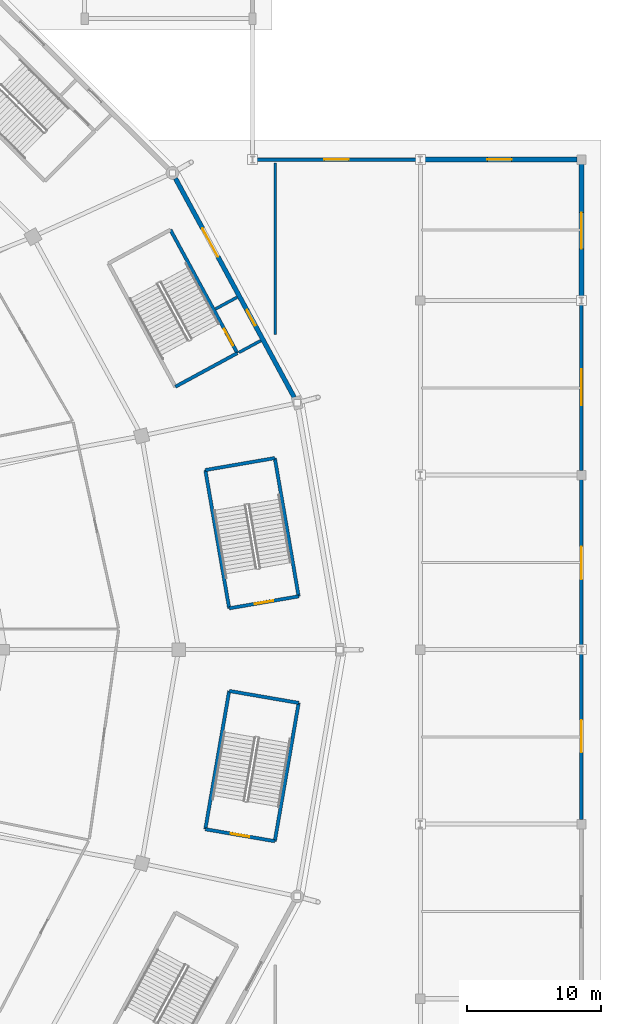
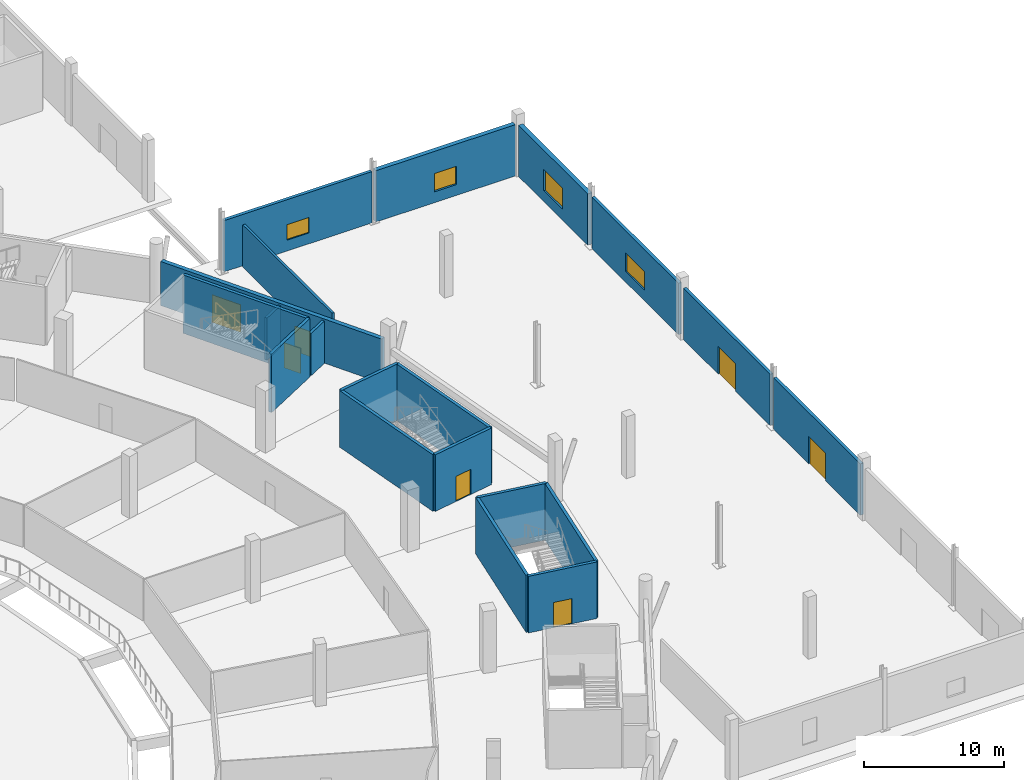
# One storey, part 48 of 82: 20 walls, 7 doors, 4 windows, 11 openings.
"""IFC4 building model written with IfcOpenShell, lengths in metres."""

from ifc_helpers import new_model, si_unit, direction, frame, frame_2d, origin, place, context, subcontext, project, spatial, rectangle, extrude, material, layer, layer_set, type_object, element, fill, save


model = new_model("IFC4")

# Units and contexts
model_context = context("Model", 3, precision=1e-05, world=origin(), true_north=direction((0.0, 1.0)))
body_context = subcontext(model_context, "Body", "Model", "MODEL_VIEW")
ifc_project = project(units=[si_unit("LENGTHUNIT", "METRE"), si_unit("AREAUNIT", "SQUARE_METRE"), si_unit("VOLUMEUNIT", "CUBIC_METRE"), si_unit("PLANEANGLEUNIT", "RADIAN"), si_unit("MASSUNIT", "GRAM", prefix="KILO")], contexts=[model_context])

# Site, building, storey
site_placement = place(None, origin())
site = spatial("IfcSite", under=ifc_project, at=site_placement, CompositionType="ELEMENT")
building_placement = place(site_placement, origin())
building = spatial("IfcBuilding", under=site, at=building_placement, Name="Zlatoyarsky Gate Stadium", CompositionType="ELEMENT")
storey_placement = place(building_placement, origin())
storey = spatial("IfcBuildingStorey", under=building, at=storey_placement, Name="L00", CompositionType="ELEMENT", Elevation=0.0)

# Wall
ifc_material_1 = material(Name="Gypsum-clad mineral wool fire partition", Category="gypsum")
ifc_layer_1 = layer(ifc_material_1, 0.199951171875)
ifc_layer_set_1 = layer_set([ifc_layer_1], Name="Gypsum-clad mineral wool fire partition")
wall_type_1 = type_object("IfcWallType", Name="COMPARTMENT FIRE PARTITION WALL 200", PredefinedType="PARTITIONING", material=ifc_layer_set_1)
wall_1_placement = place(storey_placement, frame((199.199951171875, 103.485107421875, 0.0), z_axis=(0.0, 0.0, 1.0), x_axis=(0.0, 1.0, 0.0)))
element("IfcWall", 1, at=wall_1_placement, inside=storey, type_object=wall_type_1, Name="L00 interior partition PRT-L00-ALC-NE-X", PredefinedType="PARTITIONING", context=body_context, shape_type="SweptSolid", body=[
    extrude(rectangle(XDim=12.75, YDim=0.199951171875, at=frame_2d((6.375, 0.0))), origin(), (0.0, 0.0, 1.0), 3.68994140625),
])

# Wall, opening, door
ifc_material_2 = material(Name="Concrete C40/50", Category="concrete")
ifc_layer_2 = layer(ifc_material_2, 0.25)
ifc_layer_set_2 = layer_set([ifc_layer_2], Name="Concrete C40/50")
wall_type_2 = type_object("IfcWallType", Name="CONCRETE STAIR CORE SHEAR WALL 250", PredefinedType="SHEAR", material=ifc_layer_set_2)
wall_2_placement = place(storey_placement, frame((195.762451171875, 83.07666015625, 0.0), z_axis=(0.0, 0.0, 1.0), x_axis=(0.985457162135, 0.16992404655, 0.0)))
wall_2 = element("IfcWall", 2, at=wall_2_placement, inside=storey, type_object=wall_type_2, Name="ST-01 L00 stair core entrance shear wall", PredefinedType="SHEAR", context=body_context, shape_type="SweptSolid", body=[
    extrude(rectangle(XDim=5.25, YDim=0.25, at=frame_2d((2.625, 0.0))), origin(), (0.0, 0.0, 1.0), 4.93994140625),
])
opening_1_placement = place(wall_2_placement, frame((1.925048828125, 0.0, 0.0)))
opening_1 = element("IfcOpeningElement", 3, at=opening_1_placement, cuts=wall_2, Name="Opening SD-ST-01-L00", PredefinedType="OPENING", context=body_context, shape_type="SweptSolid", body=[
    extrude(rectangle(XDim=1.39990234375, YDim=2.199951171875, at=frame_2d((0.699951171875, 1.10009765625))), frame((0.0, 0.135009765625, 0.0), z_axis=(0.0, -1.0, 0.0), x_axis=(1.0, 0.0, 0.0)), (0.0, 0.0, 1.0), 0.27001953125),
])
ifc_material_3 = material(Name="Powder-coated steel fire door", Category="steel")
door_type_1 = type_object("IfcDoorType", Name="STAIR CORE FIRE EXIT DOOR 1400X2200", OperationType="NOTDEFINED", PredefinedType="DOOR", material=ifc_material_3)
door_1_placement = place(opening_1_placement, frame((1.39990234375, 0.0, 0.0), z_axis=(0.0, 0.0, 1.0), x_axis=(-1.0, 0.0, 0.0)))
door_1 = element("IfcDoor", 4, at=door_1_placement, inside=storey, type_object=door_type_1, Name="ST-01 L00 stair fire door", OperationType="SINGLE_SWING_RIGHT", OverallHeight=2.199951171875, OverallWidth=1.39990234375, PredefinedType="DOOR", context=body_context, shape_type="SweptSolid", body=[
    extrude(rectangle(XDim=1.39990234375, YDim=2.199951171875, at=frame_2d((0.699951171875, 1.10009765625))), frame((0.0, 0.02490234375, 0.0), z_axis=(0.0, -1.0, 0.0), x_axis=(1.0, 0.0, 0.0)), (0.0, 0.0, 1.0), 0.050048828125),
])
fill(opening_1, door_1)

# Walls
wall_3_placement = place(storey_placement, frame((200.93603515625, 83.96875, 0.0), z_axis=(0.0, 0.0, 1.0), x_axis=(-0.169938992676, 0.985454584833, 0.0)))
element("IfcWall", 5, at=wall_3_placement, inside=storey, type_object=wall_type_2, Name="ST-01 L00 stair core left shear wall", PredefinedType="SHEAR", context=body_context, shape_type="SweptSolid", body=[
    extrude(rectangle(XDim=10.4501953125, YDim=0.25, at=frame_2d((5.22509765625, 0.0))), origin(), (0.0, 0.0, 1.0), 4.93994140625),
])
wall_4_placement = place(storey_placement, frame((199.16015625, 94.266845703125, 0.0), z_axis=(0.0, 0.0, 1.0), x_axis=(-0.985457162135, -0.16992404655, 0.0)))
element("IfcWall", 6, at=wall_4_placement, inside=storey, type_object=wall_type_2, Name="ST-01 L00 stair core far shear wall", PredefinedType="SHEAR", context=body_context, shape_type="SweptSolid", body=[
    extrude(rectangle(XDim=5.25, YDim=0.25, at=frame_2d((2.625, 0.0))), origin(), (0.0, 0.0, 1.0), 4.93994140625),
])
wall_5_placement = place(storey_placement, frame((193.986572265625, 93.374755859375, 0.0), z_axis=(0.0, 0.0, 1.0), x_axis=(0.169938992676, -0.985454584833, 0.0)))
element("IfcWall", 7, at=wall_5_placement, inside=storey, type_object=wall_type_2, Name="ST-01 L00 stair core right shear wall", PredefinedType="SHEAR", context=body_context, shape_type="SweptSolid", body=[
    extrude(rectangle(XDim=10.4501953125, YDim=0.25, at=frame_2d((5.22509765625, 0.0))), origin(), (0.0, 0.0, 1.0), 4.93994140625),
])
wall_6_placement = place(storey_placement, frame((191.753662109375, 99.579833984375, 0.0), z_axis=(0.0, 0.0, 1.0), x_axis=(0.878961487093, 0.47689275965, 0.0)))
element("IfcWall", 8, at=wall_6_placement, inside=storey, type_object=wall_type_2, Name="ST-13 L00 stair core entrance shear wall", PredefinedType="SHEAR", context=body_context, shape_type="SweptSolid", body=[
    extrude(rectangle(XDim=5.25, YDim=0.25, at=frame_2d((2.625, 0.0))), origin(), (0.0, 0.0, 1.0), 5.10009765625),
])

# Wall, opening, door
wall_7_placement = place(storey_placement, frame((196.3681640625, 102.08349609375, 0.0), z_axis=(0.0, 0.0, 1.0), x_axis=(-0.476876856974, 0.878970115125, 0.0)))
wall_7 = element("IfcWall", 9, at=wall_7_placement, inside=storey, type_object=wall_type_2, Name="ST-13 L00 stair core left shear wall", PredefinedType="SHEAR", context=body_context, shape_type="SweptSolid", body=[
    extrude(rectangle(XDim=10.4501953125, YDim=0.25, at=frame_2d((5.22509765625, 0.0))), origin(), (0.0, 0.0, 1.0), 5.10009765625),
])
opening_2_placement = place(wall_7_placement, frame((0.64990234375, 0.0, 0.0)))
opening_2 = element("IfcOpeningElement", 10, at=opening_2_placement, cuts=wall_7, Name="Opening SD-ST-13-L00", PredefinedType="OPENING", context=body_context, shape_type="SweptSolid", body=[
    extrude(rectangle(XDim=1.39990234375, YDim=2.199951171875, at=frame_2d((0.699951171875, 1.10009765625))), frame((0.0, 0.135009765625, 0.0), z_axis=(0.0, -1.0, 0.0), x_axis=(1.0, 0.0, 0.0)), (0.0, 0.0, 1.0), 0.27001953125),
])
door_2_placement = place(opening_2_placement, frame((1.39990234375, 0.0, 0.0), z_axis=(0.0, 0.0, 1.0), x_axis=(-1.0, 0.0, 0.0)))
door_2 = element("IfcDoor", 11, at=door_2_placement, inside=storey, type_object=door_type_1, Name="ST-13 L00 protected exit discharge fire door", OperationType="SINGLE_SWING_RIGHT", OverallHeight=2.199951171875, OverallWidth=1.39990234375, PredefinedType="DOOR", context=body_context, shape_type="SweptSolid", body=[
    extrude(rectangle(XDim=1.39990234375, YDim=2.199951171875, at=frame_2d((0.699951171875, 1.10009765625))), frame((0.0, 0.02490234375, 0.0), z_axis=(0.0, -1.0, 0.0), x_axis=(1.0, 0.0, 0.0)), (0.0, 0.0, 1.0), 0.050048828125),
])
fill(opening_2, door_2)

wall_8_placement = place(storey_placement, frame((193.98681640625, 66.625244140625, 0.0), z_axis=(0.0, 0.0, 1.0), x_axis=(0.985457162135, -0.16992404655, 0.0)))
wall_8 = element("IfcWall", 12, at=wall_8_placement, inside=storey, type_object=wall_type_2, Name="ST-20 L00 stair core entrance shear wall", PredefinedType="SHEAR", context=body_context, shape_type="SweptSolid", body=[
    extrude(rectangle(XDim=5.25, YDim=0.25, at=frame_2d((2.625, 0.0))), origin(), (0.0, 0.0, 1.0), 4.93994140625),
])
opening_3_placement = place(wall_8_placement, frame((1.925048828125, 0.0, 0.0)))
opening_3 = element("IfcOpeningElement", 13, at=opening_3_placement, cuts=wall_8, Name="Opening SD-ST-20-L00", PredefinedType="OPENING", context=body_context, shape_type="SweptSolid", body=[
    extrude(rectangle(XDim=1.39990234375, YDim=2.199951171875, at=frame_2d((0.699951171875, 1.10009765625))), frame((0.0, 0.135009765625, 0.0), z_axis=(0.0, -1.0, 0.0), x_axis=(1.0, 0.0, 0.0)), (0.0, 0.0, 1.0), 0.27001953125),
])
door_3_placement = place(opening_3_placement, frame((1.39990234375, 0.0, 0.0), z_axis=(0.0, 0.0, 1.0), x_axis=(-1.0, 0.0, 0.0)))
door_3 = element("IfcDoor", 14, at=door_3_placement, inside=storey, type_object=door_type_1, Name="ST-20 L00 stair fire door", OperationType="SINGLE_SWING_RIGHT", OverallHeight=2.199951171875, OverallWidth=1.39990234375, PredefinedType="DOOR", context=body_context, shape_type="SweptSolid", body=[
    extrude(rectangle(XDim=1.39990234375, YDim=2.199951171875, at=frame_2d((0.699951171875, 1.10009765625))), frame((0.0, 0.02490234375, 0.0), z_axis=(0.0, -1.0, 0.0), x_axis=(1.0, 0.0, 0.0)), (0.0, 0.0, 1.0), 0.050048828125),
])
fill(opening_3, door_3)

# Walls
wall_9_placement = place(storey_placement, frame((199.160400390625, 65.733154296875, 0.0), z_axis=(0.0, 0.0, 1.0), x_axis=(0.169938992676, 0.985454584833, 0.0)))
element("IfcWall", 15, at=wall_9_placement, inside=storey, type_object=wall_type_2, Name="ST-20 L00 stair core left shear wall", PredefinedType="SHEAR", context=body_context, shape_type="SweptSolid", body=[
    extrude(rectangle(XDim=10.4501953125, YDim=0.25, at=frame_2d((5.22509765625, 0.0))), origin(), (0.0, 0.0, 1.0), 4.93994140625),
])
wall_10_placement = place(storey_placement, frame((200.936279296875, 76.03125, 0.0), z_axis=(0.0, 0.0, 1.0), x_axis=(-0.985458504796, 0.169916259745, 0.0)))
element("IfcWall", 16, at=wall_10_placement, inside=storey, type_object=wall_type_2, Name="ST-20 L00 stair core far shear wall", PredefinedType="SHEAR", context=body_context, shape_type="SweptSolid", body=[
    extrude(rectangle(XDim=5.250244140625, YDim=0.25, at=frame_2d((2.625, 0.0))), origin(), (0.0, 0.0, 1.0), 4.93994140625),
])
wall_11_placement = place(storey_placement, frame((195.762451171875, 76.92333984375, 0.0), z_axis=(0.0, 0.0, 1.0), x_axis=(-0.16991630471, -0.985458497043, 0.0)))
element("IfcWall", 17, at=wall_11_placement, inside=storey, type_object=wall_type_2, Name="ST-20 L00 stair core right shear wall", PredefinedType="SHEAR", context=body_context, shape_type="SweptSolid", body=[
    extrude(rectangle(XDim=10.449951171875, YDim=0.25, at=frame_2d((5.22509765625, 0.0))), origin(), (0.0, 0.0, 1.0), 4.93994140625),
])
ifc_material_4 = material(Name="Autoclaved aerated concrete masonry EI 120", Category="masonry")
ifc_layer_3 = layer(ifc_material_4, 0.219970703125)
ifc_layer_set_3 = layer_set([ifc_layer_3], Name="Autoclaved aerated concrete masonry EI 120")
wall_type_3 = type_object("IfcWallType", Name="FIREFIGHTING LOBBY RATED WALL 220", PredefinedType="PARTITIONING", material=ifc_layer_set_3)
for number, where, z_axis, x_axis, name in (
    (18, (196.494140625, 102.134765625, 0.0), (0.0, 0.0, 1.0), (0.878983772666, 0.476851682801, 0.0), "ST-13 L00 protected exit lobby EI 120 wall 1"),
    (19, (194.7392578125, 105.369384765625, 0.0), (0.0, 0.0, 1.0), (0.878983772666, 0.476851682801, 0.0), "ST-13 L00 protected exit lobby EI 120 wall 2"),
):
    element("IfcWall", number, at=place(storey_placement, frame(where, z_axis=z_axis, x_axis=x_axis)), inside=storey, type_object=wall_type_3, Name=name, PredefinedType="PARTITIONING", context=body_context, shape_type="SweptSolid", body=[
        extrude(rectangle(XDim=1.839599609375, YDim=0.219970703125, at=frame_2d((0.919921875, 0.0))), origin(), (0.0, 0.0, 1.0), 3.68994140625),
    ])

# Wall, opening, window
ifc_material_5 = material(Name="Limestone-faced insulated masonry wall", Category="masonry")
ifc_layer_4 = layer(ifc_material_5, 0.360107421875)
ifc_layer_set_4 = layer_set([ifc_layer_4], Name="Limestone-faced insulated masonry wall")
wall_type_4 = type_object("IfcWallType", Name="LIMESTONE CLAD CAVITY WALL 360", PredefinedType="STANDARD", material=ifc_layer_set_4)
wall_12_placement = place(storey_placement, frame((222.0, 106.2470703125, 0.0), z_axis=(0.0, 0.0, 1.0), x_axis=(0.0, 1.0, 0.0)))
wall_12 = element("IfcWall", 20, at=wall_12_placement, inside=storey, type_object=wall_type_4, Name="V5_EAST L00 E_LO exterior wall", PredefinedType="STANDARD", context=body_context, shape_type="SweptSolid", body=[
    extrude(rectangle(XDim=9.906005859375, YDim=0.360107421875, at=frame_2d((4.953125, 0.0))), origin(), (0.0, 0.0, 1.0), 4.47998046875),
])
opening_4_placement = place(wall_12_placement, frame((3.60302734375, 0.0, 0.949951171875)))
opening_4 = element("IfcOpeningElement", 21, at=opening_4_placement, cuts=wall_12, Name="Opening WN-23", PredefinedType="OPENING", context=body_context, shape_type="SweptSolid", body=[
    extrude(rectangle(XDim=2.699951171875, YDim=1.85009765625, at=frame_2d((1.35009765625, 0.925048828125))), frame((0.0, 0.18994140625, 0.0), z_axis=(0.0, -1.0, 0.0), x_axis=(1.0, 0.0, 0.0)), (0.0, 0.0, 1.0), 0.380126953125),
])
ifc_material_6 = material(Name="Triple-glazed thermally broken aluminium window", Category="aluminium")
window_type_1 = type_object("IfcWindowType", Name="TRIPLE GLAZED ALUMINIUM WINDOW 2700X1850", PartitioningType="SINGLE_PANEL", PredefinedType="WINDOW", material=ifc_material_6)
window_1_placement = place(opening_4_placement, origin())
window_1 = element("IfcWindow", 22, at=window_1_placement, inside=storey, type_object=window_type_1, Name="Exterior window WIN-L00-051", OverallHeight=1.85009765625, OverallWidth=2.699951171875, PartitioningType="SINGLE_PANEL", PredefinedType="WINDOW", context=body_context, shape_type="SweptSolid", body=[
    extrude(rectangle(XDim=2.699951171875, YDim=1.85009765625, at=frame_2d((1.35009765625, 0.925048828125))), frame((0.0, 0.030029296875, 0.0), z_axis=(0.0, -1.0, 0.0), x_axis=(1.0, 0.0, 0.0)), (0.0, 0.0, 1.0), 0.06005859375),
])
fill(opening_4, window_1)

wall_13_placement = place(storey_placement, frame((210.14697265625, 116.5, 0.0), z_axis=(0.0, 0.0, 1.0), x_axis=(1.0, 0.0, 0.0)))
wall_13 = element("IfcWall", 23, at=wall_13_placement, inside=storey, type_object=wall_type_4, Name="V5_EAST L00 N exterior wall", PredefinedType="STANDARD", context=body_context, shape_type="SweptSolid", body=[
    extrude(rectangle(XDim=11.506103515625, YDim=0.360107421875, at=frame_2d((5.7529296875, 0.0))), origin(), (0.0, 0.0, 1.0), 4.47998046875),
])
opening_5_placement = place(wall_13_placement, frame((4.85302734375, 0.0, 0.949951171875)))
opening_5 = element("IfcOpeningElement", 24, at=opening_5_placement, cuts=wall_13, Name="Opening WN-10", PredefinedType="OPENING", context=body_context, shape_type="SweptSolid", body=[
    extrude(rectangle(XDim=1.800048828125, YDim=1.60009765625, at=frame_2d((0.89990234375, 0.800048828125))), frame((0.0, 0.18994140625, 0.0), z_axis=(0.0, -1.0, 0.0), x_axis=(1.0, 0.0, 0.0)), (0.0, 0.0, 1.0), 0.380126953125),
])
window_type_2 = type_object("IfcWindowType", Name="TRIPLE GLAZED ALUMINIUM WINDOW 1800X1600", PartitioningType="SINGLE_PANEL", PredefinedType="WINDOW", material=ifc_material_6)
window_2_placement = place(opening_5_placement, origin())
window_2 = element("IfcWindow", 25, at=window_2_placement, inside=storey, type_object=window_type_2, Name="Exterior window WIN-L00-066", OverallHeight=1.60009765625, OverallWidth=1.800048828125, PartitioningType="SINGLE_PANEL", PredefinedType="WINDOW", context=body_context, shape_type="SweptSolid", body=[
    extrude(rectangle(XDim=1.800048828125, YDim=1.60009765625, at=frame_2d((0.89990234375, 0.800048828125))), frame((0.0, 0.030029296875, 0.0), z_axis=(0.0, -1.0, 0.0), x_axis=(1.0, 0.0, 0.0)), (0.0, 0.0, 1.0), 0.06005859375),
])
fill(opening_5, window_2)

# Wall, openings, doors
ifc_layer_5 = layer(ifc_material_5, 0.340087890625)
ifc_layer_set_5 = layer_set([ifc_layer_5], Name="Limestone-faced insulated masonry wall")
wall_type_5 = type_object("IfcWallType", Name="LIMESTONE GATE PLINTH WALL 340", PredefinedType="STANDARD", material=ifc_layer_set_5)
wall_14_placement = place(storey_placement, frame((200.61181640625, 98.780517578125, 0.0), z_axis=(0.0, 0.0, 1.0), x_axis=(-0.47689360532, 0.878961028263, 0.0)))
wall_14 = element("IfcWall", 26, at=wall_14_placement, inside=storey, type_object=wall_type_5, Name="L00 bowl exterior plinth wall sector 01", PredefinedType="STANDARD", context=body_context, shape_type="SweptSolid", body=[
    extrude(rectangle(XDim=18.56201171875, YDim=0.340087890625, at=frame_2d((9.281005859375, 0.0))), origin(), (0.0, 0.0, 1.0), 3.85009765625),
])
opening_6_placement = place(wall_14_placement, frame((6.101806640625, 0.0, 0.0)))
opening_6 = element("IfcOpeningElement", 27, at=opening_6_placement, cuts=wall_14, Name="Opening ED-ST13", PredefinedType="OPENING", context=body_context, shape_type="SweptSolid", body=[
    extrude(rectangle(XDim=1.300048828125, YDim=2.199951171875, at=frame_2d((0.64990234375, 1.10009765625))), frame((0.0, 0.179931640625, 0.0), z_axis=(0.0, -1.0, 0.0), x_axis=(1.0, 0.0, 0.0)), (0.0, 0.0, 1.0), 0.360107421875),
])
opening_7_placement = place(wall_14_placement, frame((11.927001953125, 0.0, 0.0)))
opening_7 = element("IfcOpeningElement", 28, at=opening_7_placement, cuts=wall_14, Name="Opening G01", PredefinedType="OPENING", context=body_context, shape_type="SweptSolid", body=[
    extrude(rectangle(XDim=2.39990234375, YDim=2.39990234375, at=frame_2d((1.199951171875, 1.199951171875))), frame((0.0, 0.179931640625, 0.0), z_axis=(0.0, -1.0, 0.0), x_axis=(1.0, 0.0, 0.0)), (0.0, 0.0, 1.0), 0.360107421875),
])
ifc_material_7 = material(Name="Thermally broken powder-coated steel and laminated safety glass", Category="steel")
door_type_2 = type_object("IfcDoorType", Name="PEDESTRIAN FINAL EXIT DOUBLE DOOR 2400X2400", OperationType="DOUBLE_DOOR_SINGLE_SWING", PredefinedType="DOOR", material=ifc_material_7)
door_4_placement = place(opening_7_placement, frame((2.39990234375, 0.0, 0.0), z_axis=(0.0, 0.0, 1.0), x_axis=(-1.0, 0.0, 0.0)))
door_4 = element("IfcDoor", 29, at=door_4_placement, inside=storey, type_object=door_type_2, Name="Pedestrian exit gate G01", OperationType="DOUBLE_DOOR_SINGLE_SWING", OverallHeight=2.39990234375, OverallWidth=2.39990234375, PredefinedType="DOOR", context=body_context, shape_type="SweptSolid", body=[
    extrude(rectangle(XDim=2.39990234375, YDim=2.39990234375, at=frame_2d((1.199951171875, 1.199951171875))), frame((0.0, 0.02490234375, 0.0), z_axis=(0.0, -1.0, 0.0), x_axis=(1.0, 0.0, 0.0)), (0.0, 0.0, 1.0), 0.050048828125),
])
fill(opening_7, door_4)
door_type_3 = type_object("IfcDoorType", Name="STAIR DISCHARGE FIRE EXIT DOOR 1300X2200", OperationType="NOTDEFINED", PredefinedType="DOOR", material=ifc_material_7)
door_5_placement = place(opening_6_placement, frame((1.300048828125, 0.0, 0.0), z_axis=(0.0, 0.0, 1.0), x_axis=(-1.0, 0.0, 0.0)))
door_5 = element("IfcDoor", 30, at=door_5_placement, inside=storey, type_object=door_type_3, Name="Stair discharge fire exit door ED-ST13", OperationType="SINGLE_SWING_LEFT", OverallHeight=2.199951171875, OverallWidth=1.300048828125, PredefinedType="DOOR", context=body_context, shape_type="SweptSolid", body=[
    extrude(rectangle(XDim=1.300048828125, YDim=2.199951171875, at=frame_2d((0.64990234375, 1.10009765625))), frame((0.0, 0.02490234375, 0.0), z_axis=(0.0, -1.0, 0.0), x_axis=(1.0, 0.0, 0.0)), (0.0, 0.0, 1.0), 0.050048828125),
])
fill(opening_6, door_5)

# Wall, opening, door
ifc_layer_6 = layer(ifc_material_5, 0.260009765625)
ifc_layer_set_6 = layer_set([ifc_layer_6], Name="Limestone-faced insulated masonry wall")
wall_type_6 = type_object("IfcWallType", Name="PORTICO COLONNADE PLINTH WALL 260", PredefinedType="STANDARD", material=ifc_layer_set_6)
wall_15_placement = place(storey_placement, frame((222.0, 67.346923828125, 0.0), z_axis=(0.0, 0.0, 1.0), x_axis=(0.0, 1.0, 0.0)))
wall_15 = element("IfcWall", 31, at=wall_15_placement, inside=storey, type_object=wall_type_6, Name="V5_EAST L00 E_LO exterior wall", PredefinedType="STANDARD", context=body_context, shape_type="SweptSolid", body=[
    extrude(rectangle(XDim=12.406005859375, YDim=0.260009765625, at=frame_2d((6.203125, 0.0))), origin(), (0.0, 0.0, 1.0), 4.47998046875),
])
opening_8_placement = place(wall_15_placement, frame((5.0029296875, 0.0, 0.0)))
opening_8 = element("IfcOpeningElement", 32, at=opening_8_placement, cuts=wall_15, Name="Opening G31", PredefinedType="OPENING", context=body_context, shape_type="SweptSolid", body=[
    extrude(rectangle(XDim=2.39990234375, YDim=2.39990234375, at=frame_2d((1.199951171875, 1.199951171875))), frame((0.0, 0.139892578125, 0.0), z_axis=(0.0, -1.0, 0.0), x_axis=(1.0, 0.0, 0.0)), (0.0, 0.0, 1.0), 0.280029296875),
])
door_6_placement = place(opening_8_placement, frame((2.39990234375, 0.0, 0.0), z_axis=(0.0, 0.0, 1.0), x_axis=(-1.0, 0.0, 0.0)))
door_6 = element("IfcDoor", 33, at=door_6_placement, inside=storey, type_object=door_type_2, Name="Exterior door G31", OperationType="DOUBLE_DOOR_SINGLE_SWING", OverallHeight=2.39990234375, OverallWidth=2.39990234375, PredefinedType="DOOR", context=body_context, shape_type="SweptSolid", body=[
    extrude(rectangle(XDim=2.39990234375, YDim=2.39990234375, at=frame_2d((1.199951171875, 1.199951171875))), frame((0.0, 0.02490234375, 0.0), z_axis=(0.0, -1.0, 0.0), x_axis=(1.0, 0.0, 0.0)), (0.0, 0.0, 1.0), 0.050048828125),
])
fill(opening_8, door_6)

wall_16_placement = place(storey_placement, frame((222.0, 80.2470703125, 0.0), z_axis=(0.0, 0.0, 1.0), x_axis=(0.0, 1.0, 0.0)))
wall_16 = element("IfcWall", 34, at=wall_16_placement, inside=storey, type_object=wall_type_6, Name="V5_EAST L00 E_LO exterior wall", PredefinedType="STANDARD", context=body_context, shape_type="SweptSolid", body=[
    extrude(rectangle(XDim=12.406005859375, YDim=0.260009765625, at=frame_2d((6.203125, 0.0))), origin(), (0.0, 0.0, 1.0), 4.47998046875),
])
opening_9_placement = place(wall_16_placement, frame((4.97802734375, 0.0, 0.0)))
opening_9 = element("IfcOpeningElement", 35, at=opening_9_placement, cuts=wall_16, Name="Opening G32", PredefinedType="OPENING", context=body_context, shape_type="SweptSolid", body=[
    extrude(rectangle(XDim=2.449951171875, YDim=2.39990234375, at=frame_2d((1.22509765625, 1.199951171875))), frame((0.0, 0.139892578125, 0.0), z_axis=(0.0, -1.0, 0.0), x_axis=(1.0, 0.0, 0.0)), (0.0, 0.0, 1.0), 0.280029296875),
])
door_type_4 = type_object("IfcDoorType", Name="PEDESTRIAN FINAL EXIT DOUBLE DOOR 2450X2400", OperationType="DOUBLE_DOOR_SINGLE_SWING", PredefinedType="DOOR", material=ifc_material_7)
door_7_placement = place(opening_9_placement, frame((2.449951171875, 0.0, 0.0), z_axis=(0.0, 0.0, 1.0), x_axis=(-1.0, 0.0, 0.0)))
door_7 = element("IfcDoor", 36, at=door_7_placement, inside=storey, type_object=door_type_4, Name="Exterior door G32", OperationType="DOUBLE_DOOR_SINGLE_SWING", OverallHeight=2.39990234375, OverallWidth=2.449951171875, PredefinedType="DOOR", context=body_context, shape_type="SweptSolid", body=[
    extrude(rectangle(XDim=2.449951171875, YDim=2.39990234375, at=frame_2d((1.22509765625, 1.199951171875))), frame((0.0, 0.02490234375, 0.0), z_axis=(0.0, -1.0, 0.0), x_axis=(1.0, 0.0, 0.0)), (0.0, 0.0, 1.0), 0.050048828125),
])
fill(opening_9, door_7)

# Wall, opening, window
wall_17_placement = place(storey_placement, frame((222.0, 93.346923828125, 0.0), z_axis=(0.0, 0.0, 1.0), x_axis=(0.0, 1.0, 0.0)))
wall_17 = element("IfcWall", 37, at=wall_17_placement, inside=storey, type_object=wall_type_6, Name="V5_EAST L00 E_LO exterior wall", PredefinedType="STANDARD", context=body_context, shape_type="SweptSolid", body=[
    extrude(rectangle(XDim=12.406005859375, YDim=0.260009765625, at=frame_2d((6.203125, 0.0))), origin(), (0.0, 0.0, 1.0), 4.47998046875),
])
opening_10_placement = place(wall_17_placement, frame((4.85302734375, 0.0, 0.949951171875)))
opening_10 = element("IfcOpeningElement", 38, at=opening_10_placement, cuts=wall_17, Name="Opening WN-22", PredefinedType="OPENING", context=body_context, shape_type="SweptSolid", body=[
    extrude(rectangle(XDim=2.699951171875, YDim=1.60009765625, at=frame_2d((1.35009765625, 0.800048828125))), frame((0.0, 0.139892578125, 0.0), z_axis=(0.0, -1.0, 0.0), x_axis=(1.0, 0.0, 0.0)), (0.0, 0.0, 1.0), 0.280029296875),
])
window_type_3 = type_object("IfcWindowType", Name="TRIPLE GLAZED ALUMINIUM WINDOW 2700X1600", PartitioningType="SINGLE_PANEL", PredefinedType="WINDOW", material=ifc_material_6)
window_3_placement = place(opening_10_placement, origin())
window_3 = element("IfcWindow", 39, at=window_3_placement, inside=storey, type_object=window_type_3, Name="Exterior window WIN-L00-050", OverallHeight=1.60009765625, OverallWidth=2.699951171875, PartitioningType="SINGLE_PANEL", PredefinedType="WINDOW", context=body_context, shape_type="SweptSolid", body=[
    extrude(rectangle(XDim=2.699951171875, YDim=1.60009765625, at=frame_2d((1.35009765625, 0.800048828125))), frame((0.0, 0.030029296875, 0.0), z_axis=(0.0, -1.0, 0.0), x_axis=(1.0, 0.0, 0.0)), (0.0, 0.0, 1.0), 0.06005859375),
])
fill(opening_10, window_3)

wall_18_placement = place(storey_placement, frame((197.64697265625, 116.5, 0.0), z_axis=(0.0, 0.0, 1.0), x_axis=(1.0, 0.0, 0.0)))
wall_18 = element("IfcWall", 40, at=wall_18_placement, inside=storey, type_object=wall_type_6, Name="V5_EAST L00 N exterior wall", PredefinedType="STANDARD", context=body_context, shape_type="SweptSolid", body=[
    extrude(rectangle(XDim=12.2060546875, YDim=0.260009765625, at=frame_2d((6.10302734375, 0.0))), origin(), (0.0, 0.0, 1.0), 4.47998046875),
])
opening_11_placement = place(wall_18_placement, frame((5.202880859375, 0.0, 0.949951171875)))
opening_11 = element("IfcOpeningElement", 41, at=opening_11_placement, cuts=wall_18, Name="Opening WN-09", PredefinedType="OPENING", context=body_context, shape_type="SweptSolid", body=[
    extrude(rectangle(XDim=1.800048828125, YDim=1.35009765625, at=frame_2d((0.89990234375, 0.675048828125))), frame((0.0, 0.139892578125, 0.0), z_axis=(0.0, -1.0, 0.0), x_axis=(1.0, 0.0, 0.0)), (0.0, 0.0, 1.0), 0.280029296875),
])
window_type_4 = type_object("IfcWindowType", Name="TRIPLE GLAZED ALUMINIUM WINDOW 1800X1350", PartitioningType="SINGLE_PANEL", PredefinedType="WINDOW", material=ifc_material_6)
window_4_placement = place(opening_11_placement, origin())
window_4 = element("IfcWindow", 42, at=window_4_placement, inside=storey, type_object=window_type_4, Name="Exterior window WIN-L00-065", OverallHeight=1.35009765625, OverallWidth=1.800048828125, PartitioningType="SINGLE_PANEL", PredefinedType="WINDOW", context=body_context, shape_type="SweptSolid", body=[
    extrude(rectangle(XDim=1.800048828125, YDim=1.35009765625, at=frame_2d((0.89990234375, 0.675048828125))), frame((0.0, 0.030029296875, 0.0), z_axis=(0.0, -1.0, 0.0), x_axis=(1.0, 0.0, 0.0)), (0.0, 0.0, 1.0), 0.06005859375),
])
fill(opening_11, window_4)

save(model, "model.ifc")
